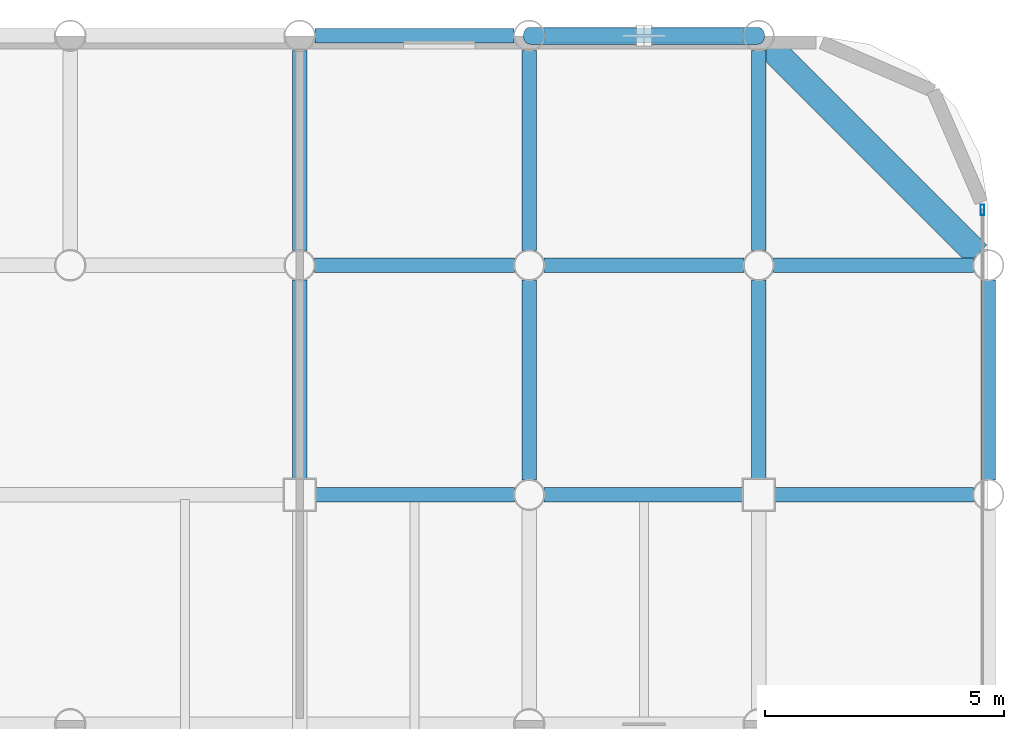
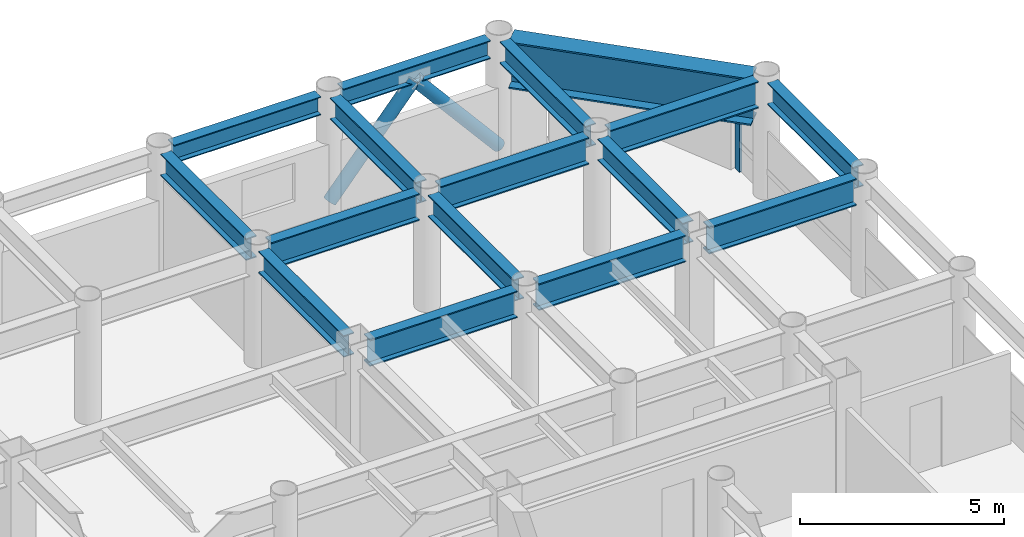
# One storey, part 14 of 19: 16 beams, 3 members, 1 element without a shape of its own.
"""IFC4 building model written with IfcOpenShell, lengths in metres."""

from ifc_helpers import new_model, si_unit, direction, frame, origin, origin_2d, place, context, subcontext, project, spatial, hollow_rectangle, hollow_circle, i_section, extrude, material, layer, layer_set, material_profile, profile_set, type_object, element, aggregate, save


model = new_model("IFC4")

# Units and contexts
model_context = context("Model", 3, precision=1e-05, world=origin(), true_north=direction((0.0, 1.0)))
body_context = subcontext(model_context, "Body", "Model", "MODEL_VIEW")
ifc_project = project(units=[si_unit("LENGTHUNIT", "METRE"), si_unit("AREAUNIT", "SQUARE_METRE"), si_unit("VOLUMEUNIT", "CUBIC_METRE"), si_unit("PLANEANGLEUNIT", "RADIAN"), si_unit("MASSUNIT", "GRAM", prefix="KILO")], contexts=[model_context])

# Site, building, storey
site_placement = place(None, origin())
site = spatial("IfcSite", under=ifc_project, at=site_placement, CompositionType="ELEMENT")
building_placement = place(site_placement, origin())
building = spatial("IfcBuilding", under=site, at=building_placement, Name="Kallvorn Hotel Tower", CompositionType="ELEMENT")
storey_placement = place(building_placement, frame((0.0, 0.0, 147.0)))
storey = spatial("IfcBuildingStorey", under=building, at=storey_placement, Name="L36", CompositionType="ELEMENT", Elevation=147.0)

# Beams
ifc_material_1 = material(Name="Structural steel S355JR", Category="steel")
ifc_material_profile_1 = material_profile(ifc_material_1, i_section(OverallWidth=0.300048828125, OverallDepth=0.550048828125, WebThickness=0.014892578125, FlangeThickness=0.029052734375, at=origin_2d()), Name="HE 550 B")
ifc_profile_set_1 = profile_set([ifc_material_profile_1], Name="Structural steel S355JR")
beam_type_1 = type_object("IfcBeamType", Name="BM_HE550B", PredefinedType="SPANDREL", material=ifc_profile_set_1)
for number, where, z_axis, x_axis, name in (
    (1, (14.719970703125, 24.0, 3.2451171875), (1.0, 0.0, 0.0), (0.0, 1.0, 0.0), "L37 Perimeter Spandrel 172"),
    (2, (19.52001953125, 24.0, 3.2451171875), (1.0, 0.0, 0.0), (0.0, 1.0, 0.0), "L37 Perimeter Spandrel 173"),
):
    element("IfcBeam", number, at=place(storey_placement, frame(where, z_axis=z_axis, x_axis=x_axis)), inside=storey, type_object=beam_type_1, Name=name, PredefinedType="SPANDREL", context=body_context, shape_type="SweptSolid", body=[
        extrude(i_section(OverallWidth=0.300048828125, OverallDepth=0.550048828125, WebThickness=0.014892578125, FlangeThickness=0.029052734375, at=origin_2d()), origin(), (0.0, 0.0, 1.0), 4.159912109375),
    ])
ifc_material_2 = material(Name="Structural steel S355JR", Category="steel")
ifc_material_profile_2 = material_profile(ifc_material_2, i_section(OverallWidth=0.300048828125, OverallDepth=0.64990234375, WebThickness=0.01611328125, FlangeThickness=0.031005859375, at=origin_2d()), Name="HE 650 B")
ifc_profile_set_2 = profile_set([ifc_material_profile_2], Name="Structural steel S355JR")
beam_type_2 = type_object("IfcBeamType", Name="BM_HE650B", PredefinedType="BEAM", material=ifc_profile_set_2)
beam_1_placement = place(storey_placement, frame((14.39990234375, 14.72509765625, 3.195068359375), z_axis=(0.0, 1.0, 0.0), x_axis=(-1.0, 0.0, 0.0)))
element("IfcBeam", 3, at=beam_1_placement, inside=storey, type_object=beam_type_2, Name="L37 Primary Y-Girder 125", PredefinedType="BEAM", context=body_context, shape_type="SweptSolid", body=[
    extrude(i_section(OverallWidth=0.300048828125, OverallDepth=0.64990234375, WebThickness=0.01611328125, FlangeThickness=0.031005859375, at=origin_2d()), origin(), (0.0, 0.0, 1.0), 4.169921875),
])
beam_2_placement = place(storey_placement, frame((14.39990234375, 19.5048828125, 3.195068359375), z_axis=(0.0, 1.0, 0.0), x_axis=(-1.0, 0.0, 0.0)))
element("IfcBeam", 4, at=beam_2_placement, inside=storey, type_object=beam_type_2, Name="L37 Primary Y-Girder 126", PredefinedType="BEAM", context=body_context, shape_type="SweptSolid", body=[
    extrude(i_section(OverallWidth=0.300048828125, OverallDepth=0.64990234375, WebThickness=0.01611328125, FlangeThickness=0.031005859375, at=origin_2d()), origin(), (0.0, 0.0, 1.0), 4.190185546875),
])
beam_3_placement = place(storey_placement, frame((19.199951171875, 14.705078125, 3.195068359375), z_axis=(0.0, 1.0, 0.0), x_axis=(-1.0, 0.0, 0.0)))
element("IfcBeam", 5, at=beam_3_placement, inside=storey, type_object=beam_type_2, Name="L37 Primary Y-Girder 134", PredefinedType="BEAM", context=body_context, shape_type="SweptSolid", body=[
    extrude(i_section(OverallWidth=0.300048828125, OverallDepth=0.64990234375, WebThickness=0.01611328125, FlangeThickness=0.031005859375, at=origin_2d()), origin(), (0.0, 0.0, 1.0), 4.18994140625),
])
beam_4_placement = place(storey_placement, frame((19.199951171875, 19.5048828125, 3.195068359375), z_axis=(0.0, 1.0, 0.0), x_axis=(-1.0, 0.0, 0.0)))
element("IfcBeam", 6, at=beam_4_placement, inside=storey, type_object=beam_type_2, Name="L37 Primary Y-Girder 135", PredefinedType="BEAM", context=body_context, shape_type="SweptSolid", body=[
    extrude(i_section(OverallWidth=0.300048828125, OverallDepth=0.64990234375, WebThickness=0.01611328125, FlangeThickness=0.031005859375, at=origin_2d()), origin(), (0.0, 0.0, 1.0), 4.190185546875),
])
beam_5_placement = place(storey_placement, frame((24.0, 14.72509765625, 3.195068359375), z_axis=(0.0, 1.0, 0.0), x_axis=(-1.0, 0.0, 0.0)))
element("IfcBeam", 7, at=beam_5_placement, inside=storey, type_object=beam_type_2, Name="L37 Primary Y-Girder 141", PredefinedType="BEAM", context=body_context, shape_type="SweptSolid", body=[
    extrude(i_section(OverallWidth=0.300048828125, OverallDepth=0.64990234375, WebThickness=0.01611328125, FlangeThickness=0.031005859375, at=origin_2d()), origin(), (0.0, 0.0, 1.0), 4.169921875),
])
beam_6_placement = place(storey_placement, frame((24.0, 19.5048828125, 3.195068359375), z_axis=(0.0, 1.0, 0.0), x_axis=(-1.0, 0.0, 0.0)))
element("IfcBeam", 8, at=beam_6_placement, inside=storey, type_object=beam_type_2, Name="L37 Primary Y-Girder 142", PredefinedType="BEAM", context=body_context, shape_type="SweptSolid", body=[
    extrude(i_section(OverallWidth=0.300048828125, OverallDepth=0.64990234375, WebThickness=0.01611328125, FlangeThickness=0.031005859375, at=origin_2d()), origin(), (0.0, 0.0, 1.0), 4.190185546875),
])
beam_7_placement = place(storey_placement, frame((28.800048828125, 14.705078125, 3.195068359375), z_axis=(0.0, 1.0, 0.0), x_axis=(-1.0, 0.0, 0.0)))
element("IfcBeam", 9, at=beam_7_placement, inside=storey, type_object=beam_type_2, Name="L37 Primary Y-Girder 150", PredefinedType="BEAM", context=body_context, shape_type="SweptSolid", body=[
    extrude(i_section(OverallWidth=0.300048828125, OverallDepth=0.64990234375, WebThickness=0.01611328125, FlangeThickness=0.031005859375, at=origin_2d()), origin(), (0.0, 0.0, 1.0), 4.18994140625),
])
ifc_material_3 = material(Name="Structural steel S355JR", Category="steel")
ifc_material_profile_3 = material_profile(ifc_material_3, i_section(OverallWidth=0.300048828125, OverallDepth=0.800048828125, WebThickness=0.017578125, FlangeThickness=0.032958984375, at=origin_2d()), Name="HE 800 B")
ifc_profile_set_3 = profile_set([ifc_material_profile_3], Name="Structural steel S355JR")
beam_type_3 = type_object("IfcBeamType", Name="BM_HE800B", PredefinedType="BEAM", material=ifc_profile_set_3)
beam_8_placement = place(storey_placement, frame((14.72509765625, 14.39990234375, 3.1201171875), z_axis=(1.0, 0.0, 0.0), x_axis=(0.0, 1.0, 0.0)))
element("IfcBeam", 10, at=beam_8_placement, inside=storey, type_object=beam_type_3, Name="L37 Primary X-Girder 57", PredefinedType="BEAM", context=body_context, shape_type="SweptSolid", body=[
    extrude(i_section(OverallWidth=0.300048828125, OverallDepth=0.800048828125, WebThickness=0.017578125, FlangeThickness=0.032958984375, at=origin_2d()), origin(), (0.0, 0.0, 1.0), 4.169921875),
])
for number, where, z_axis, x_axis, name in (
    (11, (19.5048828125, 14.39990234375, 3.1201171875), (1.0, 0.0, 0.0), (0.0, 1.0, 0.0), "L37 Primary X-Girder 58"),
    (12, (24.324951171875, 14.39990234375, 3.1201171875), (1.0, 0.0, 0.0), (0.0, 1.0, 0.0), "L37 Primary X-Girder 59"),
):
    element("IfcBeam", number, at=place(storey_placement, frame(where, z_axis=z_axis, x_axis=x_axis)), inside=storey, type_object=beam_type_3, Name=name, PredefinedType="BEAM", context=body_context, shape_type="SweptSolid", body=[
        extrude(i_section(OverallWidth=0.300048828125, OverallDepth=0.800048828125, WebThickness=0.017578125, FlangeThickness=0.032958984375, at=origin_2d()), origin(), (0.0, 0.0, 1.0), 4.170166015625),
    ])
beam_9_placement = place(storey_placement, frame((14.705078125, 19.199951171875, 3.1201171875), z_axis=(1.0, 0.0, 0.0), x_axis=(0.0, 1.0, 0.0)))
element("IfcBeam", 13, at=beam_9_placement, inside=storey, type_object=beam_type_3, Name="L37 Primary X-Girder 70", PredefinedType="BEAM", context=body_context, shape_type="SweptSolid", body=[
    extrude(i_section(OverallWidth=0.300048828125, OverallDepth=0.800048828125, WebThickness=0.017578125, FlangeThickness=0.032958984375, at=origin_2d()), origin(), (0.0, 0.0, 1.0), 4.18994140625),
])
for number, where, z_axis, x_axis, name in (
    (14, (19.5048828125, 19.199951171875, 3.1201171875), (1.0, 0.0, 0.0), (0.0, 1.0, 0.0), "L37 Primary X-Girder 71"),
    (15, (24.304931640625, 19.199951171875, 3.1201171875), (1.0, 0.0, 0.0), (0.0, 1.0, 0.0), "L37 Primary X-Girder 72"),
):
    element("IfcBeam", number, at=place(storey_placement, frame(where, z_axis=z_axis, x_axis=x_axis)), inside=storey, type_object=beam_type_3, Name=name, PredefinedType="BEAM", context=body_context, shape_type="SweptSolid", body=[
        extrude(i_section(OverallWidth=0.300048828125, OverallDepth=0.800048828125, WebThickness=0.017578125, FlangeThickness=0.032958984375, at=origin_2d()), origin(), (0.0, 0.0, 1.0), 4.190185546875),
    ])
ifc_material_4 = material(Name="Structural steel S355JR", Category="steel")
ifc_material_profile_4 = material_profile(ifc_material_4, i_section(OverallWidth=0.550048828125, OverallDepth=1.39990234375, WebThickness=0.02490234375, FlangeThickness=0.044921875, at=origin_2d()), Name="PG 1400x550x25x45")
ifc_profile_set_4 = profile_set([ifc_material_profile_4], Name="Structural steel S355JR")
beam_type_4 = type_object("IfcBeamType", Name="BM_PG_1400", PredefinedType="BEAM", material=ifc_profile_set_4)
beam_10_placement = place(storey_placement, frame((28.57373046875, 19.42626953125, 2.820068359375), z_axis=(-0.707106781187, 0.707106781187, 0.0), x_axis=(-0.707106781187, -0.707106781187, 0.0)))
element("IfcBeam", 16, at=beam_10_placement, inside=storey, type_object=beam_type_4, Name="L37 Rounded Corner Tie Beam 191", PredefinedType="BEAM", context=body_context, shape_type="SweptSolid", body=[
    extrude(i_section(OverallWidth=0.550048828125, OverallDepth=1.39990234375, WebThickness=0.02490234375, FlangeThickness=0.044921875, at=origin_2d()), origin(), (0.0, 0.0, 1.0), 6.148193359375),
])

# Curtain wall, member
ifc_material_5 = material(Name="Thermally broken black-anodised aluminium AA 6063-T6", Category="aluminium")
ifc_layer = layer(ifc_material_5, 0.2099609375)
ifc_layer_set = layer_set([ifc_layer], Name="CW_SYS_4_HOTEL_MID")
curtain_wall_type = type_object("IfcCurtainWallType", Name="CW_SYS_4_HOTEL_MID", PredefinedType="USERDEFINED", material=ifc_layer_set)
curtain_wall_placement = place(storey_placement, origin())
curtain_wall = element("IfcCurtainWall", 17, at=curtain_wall_placement, inside=storey, type_object=curtain_wall_type, Name="L36 Dark-Glass Curtain Wall CW-L36-EN", ObjectType="UNITISED CURTAIN WALL", PredefinedType="USERDEFINED")
ifc_material_6 = material(Name="Thermally broken black-anodised aluminium AA 6063-T6", Category="aluminium")
ifc_material_profile_5 = material_profile(ifc_material_6, hollow_rectangle(XDim=0.080078125, YDim=0.219970703125, WallThickness=0.0048828125, at=origin_2d()), Name="MUL 220x80")
ifc_profile_set_5 = profile_set([ifc_material_profile_5], Name="Thermally broken black-anodised aluminium AA 6063-T6")
member_type_1 = type_object("IfcMemberType", Name="CW_MULLION_220x80", PredefinedType="MULLION", material=ifc_profile_set_5)
member_placement = place(storey_placement, frame((28.679931640625, 20.360107421875, 0.02001953125), z_axis=(0.0, 0.0, 1.0), x_axis=(1.0, 0.0, 0.0)))
member = element("IfcMember", 18, at=member_placement, type_object=member_type_1, Name="CW-L36-EN Mullion 01", PredefinedType="MULLION", context=body_context, shape_type="SweptSolid", body=[
    extrude(hollow_rectangle(XDim=0.080078125, YDim=0.219970703125, WallThickness=0.0048828125, at=origin_2d()), origin(), (0.0, 0.0, 1.0), 2.080078125),
])
aggregate(curtain_wall, [member])

# Members
ifc_material_7 = material(Name="Structural steel S355J2H", Category="steel")
ifc_material_profile_6 = material_profile(ifc_material_7, hollow_circle(Radius=0.177734375, WallThickness=0.01416015625, at=origin_2d()), Name="CHS 355.6x14.2")
ifc_profile_set_6 = profile_set([ifc_material_profile_6], Name="Structural steel S355J2H")
member_type_2 = type_object("IfcMemberType", Name="MBR_EXO_CHS355", PredefinedType="BRACE", material=ifc_profile_set_6)
for number, where, z_axis, x_axis, name in (
    (19, (19.212890625, 24.0, 0.1953125), (0.646833296797, 0.0, 0.762631422218), (0.0, 1.0, 0.0), "L36 Exoskeleton K-Brace N2A"),
    (20, (23.987060546875, 24.0, 0.1953125), (-0.646833296797, 0.0, 0.762631422218), (0.0, -1.0, 0.0), "L36 Exoskeleton K-Brace N2B"),
):
    element("IfcMember", number, at=place(storey_placement, frame(where, z_axis=z_axis, x_axis=x_axis)), inside=storey, type_object=member_type_2, Name=name, PredefinedType="BRACE", context=body_context, shape_type="SweptSolid", body=[
        extrude(hollow_circle(Radius=0.177734375, WallThickness=0.01416015625, at=origin_2d()), origin(), (0.0, 0.0, 1.0), 3.670654296875),
    ])

save(model, "model.ifc")
